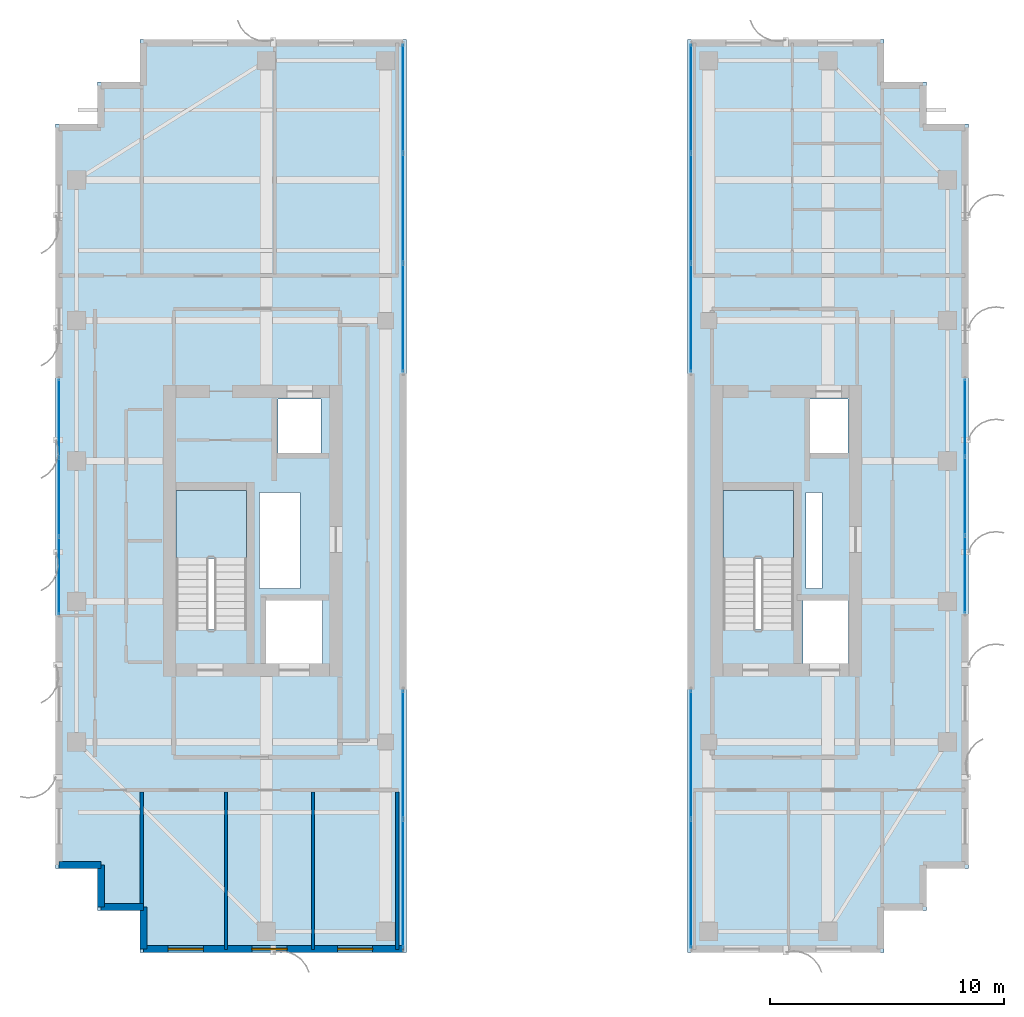
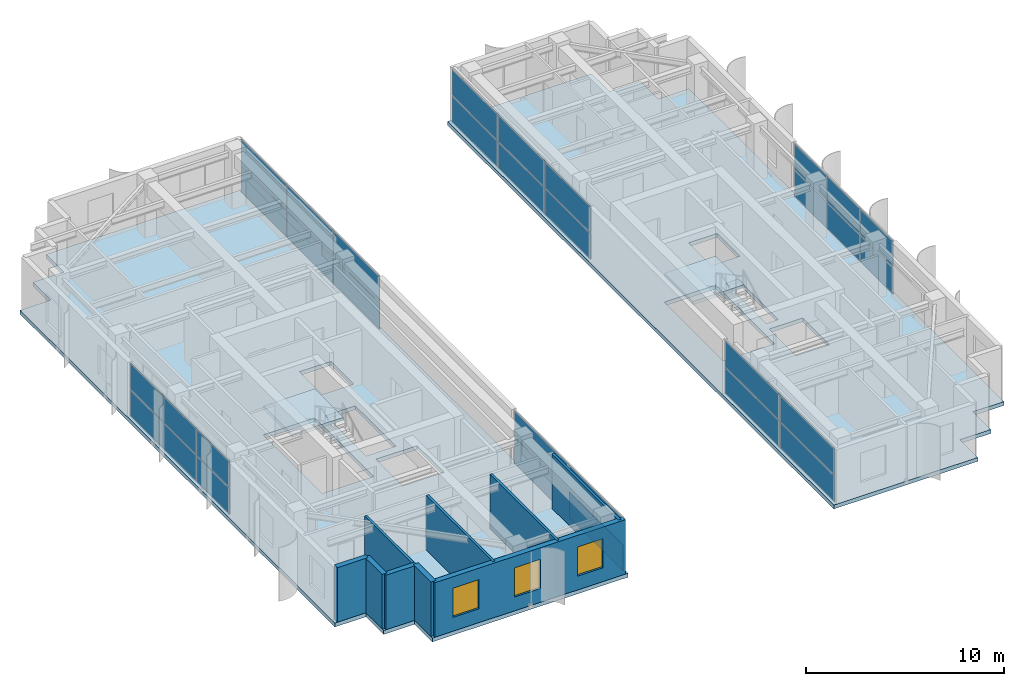
# One storey, part 17 of 24: 32 plates, 9 walls, 4 slabs, 3 windows, 3 openings, 8 elements without a shape of their own.
"""IFC4 building model written with IfcOpenShell, lengths in metres."""

from ifc_helpers import new_model, si_unit, direction, frame, frame_2d, origin, origin_2d, place, context, subcontext, project, spatial, polyline, rectangle, outline, extrude, source, transform, mapped, material, layer, layer_set, type_object, element, fill, aggregate, save


model = new_model("IFC4")

# Units and contexts
model_context = context("Model", 3, precision=1e-05, world=origin(), true_north=direction((0.0, 1.0)))
body_context = subcontext(model_context, "Body", "Model", "MODEL_VIEW")
ifc_project = project(units=[si_unit("LENGTHUNIT", "METRE"), si_unit("AREAUNIT", "SQUARE_METRE"), si_unit("VOLUMEUNIT", "CUBIC_METRE"), si_unit("PLANEANGLEUNIT", "RADIAN"), si_unit("MASSUNIT", "GRAM", prefix="KILO")], contexts=[model_context])

# Site, building, storey
site_placement = place(None, origin())
site = spatial("IfcSite", under=ifc_project, at=site_placement, CompositionType="ELEMENT")
building_placement = place(site_placement, origin())
building = spatial("IfcBuilding", under=site, at=building_placement, Name="Khoralis Quay Care Tower", CompositionType="ELEMENT")
storey_placement = place(building_placement, frame((0.0, 0.0, 249.300048828125)))
storey = spatial("IfcBuildingStorey", under=building, at=storey_placement, Name="L65", CompositionType="ELEMENT", Elevation=249.300048828125)

# Stair, slab
ifc_material_1 = material(Name="Precast concrete C45/55", Category="concrete")
stair_type = type_object("IfcStairType", Name="ST-TWR-DOGLEG-1400", PredefinedType="HALF_TURN_STAIR", material=ifc_material_1)
stair_1_placement = place(storey_placement, origin())
stair_1 = element("IfcStair", 1, at=stair_1_placement, inside=storey, type_object=stair_type, Name="L65 West Core Exit Stair ST-T1", PredefinedType="HALF_TURN_STAIR")
ifc_layer_1 = layer(ifc_material_1, 0.199951171875)
ifc_layer_set_1 = layer_set([ifc_layer_1], Name="Precast concrete C45/55")
slab_type_1 = type_object("IfcSlabType", Name="SLB-LANDING-200", PredefinedType="LANDING", material=ifc_layer_set_1)
slab_1_placement = place(storey_placement, frame((0.0, 0.0, 1.599853515625)))
slab_1 = element("IfcSlab", 2, at=slab_1_placement, type_object=slab_type_1, Name="ST-T1 landing 1", PredefinedType="LANDING", context=body_context, shape_type="SweptSolid", body=[
    extrude(outline(polyline([(11.14990234375, 19.840087890625), (11.14990234375, 22.75), (8.14990234375, 22.75), (8.14990234375, 19.840087890625), (11.14990234375, 19.840087890625)])), origin(), (0.0, 0.0, 1.0), 0.2001953125),
])
aggregate(stair_1, [slab_1])

stair_2_placement = place(storey_placement, origin())
stair_2 = element("IfcStair", 3, at=stair_2_placement, inside=storey, type_object=stair_type, Name="L65 East Core Exit Stair ST-T2", PredefinedType="HALF_TURN_STAIR")
slab_2_placement = place(storey_placement, frame((0.0, 0.0, 1.599853515625)))
slab_2 = element("IfcSlab", 4, at=slab_2_placement, type_object=slab_type_1, Name="ST-T2 landing 1", PredefinedType="LANDING", context=body_context, shape_type="SweptSolid", body=[
    extrude(outline(polyline([(34.52001953125, 19.840087890625), (34.52001953125, 22.75), (31.52001953125, 22.75), (31.52001953125, 19.840087890625), (34.52001953125, 19.840087890625)])), origin(), (0.0, 0.0, 1.0), 0.2001953125),
])
aggregate(stair_2, [slab_2])

# Slabs
ifc_material_2 = material(Name="Concrete C40/50", Category="concrete")
ifc_layer_2 = layer(ifc_material_2, 0.239990234375)
ifc_layer_set_2 = layer_set([ifc_layer_2], Name="Concrete C40/50")
slab_type_2 = type_object("IfcSlabType", Name="SLB-TWR-240", PredefinedType="FLOOR", material=ifc_layer_set_2)
slab_3_placement = place(storey_placement, frame((0.0, 0.0, -0.239990234375)))
element("IfcSlab", 5, at=slab_3_placement, inside=storey, type_object=slab_type_2, Name="Tower Wing 1 Slab L65", PredefinedType="FLOOR", context=body_context, shape_type="SweptSolid", body=[
    extrude(outline(polyline([(6.60009765625, 3.0), (18.0, 3.0), (18.0, 42.0), (6.60009765625, 42.0), (6.60009765625, 40.199951171875), (4.800048828125, 40.199951171875), (4.800048828125, 38.39990234375), (3.0, 38.39990234375), (3.0, 6.60009765625), (4.800048828125, 6.60009765625), (4.800048828125, 4.800048828125), (6.60009765625, 4.800048828125), (6.60009765625, 3.0)]), holes=[polyline([(11.14990234375, 16.800048828125), (11.14990234375, 22.75), (8.14990234375, 22.75), (8.14990234375, 16.800048828125), (11.14990234375, 16.800048828125)]), polyline([(12.0, 15.35009765625), (14.39990234375, 15.35009765625), (14.39990234375, 18.050048828125), (12.0, 18.050048828125), (12.0, 15.35009765625)]), polyline([(12.5, 24.35009765625), (14.35009765625, 24.35009765625), (14.35009765625, 26.64990234375), (12.5, 26.64990234375), (12.5, 24.35009765625)]), polyline([(11.719970703125, 18.550048828125), (13.449951171875, 18.550048828125), (13.449951171875, 22.64990234375), (11.719970703125, 22.64990234375), (11.719970703125, 18.550048828125)])]), origin(), (0.0, 0.0, 1.0), 0.239990234375),
])
slab_4_placement = place(storey_placement, frame((0.0, 0.0, -0.239990234375)))
element("IfcSlab", 6, at=slab_4_placement, inside=storey, type_object=slab_type_2, Name="Tower Wing 2 Slab L65", PredefinedType="FLOOR", context=body_context, shape_type="SweptSolid", body=[
    extrude(outline(polyline([(30.0, 3.0), (38.39990234375, 3.0), (38.39990234375, 4.800048828125), (40.199951171875, 4.800048828125), (40.199951171875, 6.60009765625), (42.0, 6.60009765625), (42.0, 38.39990234375), (40.199951171875, 38.39990234375), (40.199951171875, 40.199951171875), (38.39990234375, 40.199951171875), (38.39990234375, 42.0), (30.0, 42.0), (30.0, 3.0)]), holes=[polyline([(34.52001953125, 16.800048828125), (34.52001953125, 22.75), (31.52001953125, 22.75), (31.52001953125, 16.800048828125), (34.52001953125, 16.800048828125)]), polyline([(34.919921875, 15.35009765625), (36.8798828125, 15.35009765625), (36.8798828125, 18.050048828125), (34.919921875, 18.050048828125), (34.919921875, 15.35009765625)]), polyline([(35.199951171875, 24.35009765625), (36.85009765625, 24.35009765625), (36.85009765625, 26.64990234375), (35.199951171875, 26.64990234375), (35.199951171875, 24.35009765625)]), polyline([(35.050048828125, 18.550048828125), (35.75, 18.550048828125), (35.75, 22.64990234375), (35.050048828125, 22.64990234375), (35.050048828125, 18.550048828125)])]), origin(), (0.0, 0.0, 1.0), 0.239990234375),
])

# Curtain wall, plates
ifc_material_3 = material(Name="Pale anodised aluminium", Category="aluminium")
ifc_layer_3 = layer(ifc_material_3, 0.18994140625)
ifc_layer_set_3 = layer_set([ifc_layer_3], Name="Pale anodised aluminium")
curtain_wall_type_1 = type_object("IfcCurtainWallType", Name="CW-SYS-PORTAL", PredefinedType="NOTDEFINED", material=ifc_layer_set_3)
curtain_wall_1_placement = place(storey_placement, origin())
curtain_wall_1 = element("IfcCurtainWall", 7, at=curtain_wall_1_placement, inside=storey, type_object=curtain_wall_type_1, Name="L65 Unitised Curtain Wall CW-VP-L65-P1-S", PredefinedType="NOTDEFINED")
ifc_material_4 = material(Name="Low-E solar-control double glazing", Category="glass")
ifc_layer_4 = layer(ifc_material_4, 0.031982421875)
ifc_layer_set_4 = layer_set([ifc_layer_4], Name="Low-E solar-control double glazing")
plate_type = type_object("IfcPlateType", Name="PNL-VIS-32", PredefinedType="CURTAIN_PANEL", material=ifc_layer_set_4)
shared_shape_1 = source(origin(), body_context, "Body", "SweptSolid", [
    extrude(rectangle(XDim=5.4599609375, YDim=0.028076171875, at=origin_2d()), origin(), (0.0, 0.0, 1.0), 1.590087890625),
])
plate_1_placement = place(storey_placement, frame((17.85009765625, 5.93994140625, 0.06005859375), z_axis=(0.0, 0.0, 1.0), x_axis=(0.0, 1.0, 0.0)))
plate_1 = element("IfcPlate", 8, at=plate_1_placement, type_object=plate_type, Name="CW4 panel 1.1", PredefinedType="CURTAIN_PANEL", context=body_context, shape_type="MappedRepresentation", body=[
    mapped(shared_shape_1, transform((0.0, 0.0, 0.0), scale=1.0)),
])
plate_2_placement = place(storey_placement, frame((17.85009765625, 5.93994140625, 1.7099609375), z_axis=(0.0, 0.0, 1.0), x_axis=(0.0, 1.0, 0.0)))
plate_2 = element("IfcPlate", 9, at=plate_2_placement, type_object=plate_type, Name="CW4 panel 1.2", PredefinedType="CURTAIN_PANEL", context=body_context, shape_type="MappedRepresentation", body=[
    mapped(shared_shape_1, transform((0.0, 0.0, 0.0), scale=1.0)),
])
plate_3_placement = place(storey_placement, frame((17.85009765625, 11.4599609375, 0.06005859375), z_axis=(0.0, 0.0, 1.0), x_axis=(0.0, 1.0, 0.0)))
plate_3 = element("IfcPlate", 10, at=plate_3_placement, type_object=plate_type, Name="CW4 panel 2.1", PredefinedType="CURTAIN_PANEL", context=body_context, shape_type="MappedRepresentation", body=[
    mapped(shared_shape_1, transform((0.0, 0.0, 0.0), scale=1.0)),
])
plate_4_placement = place(storey_placement, frame((17.85009765625, 11.4599609375, 1.7099609375), z_axis=(0.0, 0.0, 1.0), x_axis=(0.0, 1.0, 0.0)))
plate_4 = element("IfcPlate", 11, at=plate_4_placement, type_object=plate_type, Name="CW4 panel 2.2", PredefinedType="CURTAIN_PANEL", context=body_context, shape_type="MappedRepresentation", body=[
    mapped(shared_shape_1, transform((0.0, 0.0, 0.0), scale=1.0)),
])
aggregate(curtain_wall_1, [plate_1, plate_2, plate_3, plate_4])

curtain_wall_2_placement = place(storey_placement, origin())
curtain_wall_2 = element("IfcCurtainWall", 12, at=curtain_wall_2_placement, inside=storey, type_object=curtain_wall_type_1, Name="L65 Unitised Curtain Wall CW-VP-L65-P2-S", PredefinedType="NOTDEFINED")
plate_5_placement = place(storey_placement, frame((30.14990234375, 5.93994140625, 0.06005859375), z_axis=(0.0, 0.0, 1.0), x_axis=(0.0, 1.0, 0.0)))
plate_5 = element("IfcPlate", 13, at=plate_5_placement, type_object=plate_type, Name="CW4 panel 1.1", PredefinedType="CURTAIN_PANEL", context=body_context, shape_type="MappedRepresentation", body=[
    mapped(shared_shape_1, transform((0.0, 0.0, 0.0), scale=1.0)),
])
plate_6_placement = place(storey_placement, frame((30.14990234375, 5.93994140625, 1.7099609375), z_axis=(0.0, 0.0, 1.0), x_axis=(0.0, 1.0, 0.0)))
plate_6 = element("IfcPlate", 14, at=plate_6_placement, type_object=plate_type, Name="CW4 panel 1.2", PredefinedType="CURTAIN_PANEL", context=body_context, shape_type="MappedRepresentation", body=[
    mapped(shared_shape_1, transform((0.0, 0.0, 0.0), scale=1.0)),
])
plate_7_placement = place(storey_placement, frame((30.14990234375, 11.4599609375, 0.06005859375), z_axis=(0.0, 0.0, 1.0), x_axis=(0.0, 1.0, 0.0)))
plate_7 = element("IfcPlate", 15, at=plate_7_placement, type_object=plate_type, Name="CW4 panel 2.1", PredefinedType="CURTAIN_PANEL", context=body_context, shape_type="MappedRepresentation", body=[
    mapped(shared_shape_1, transform((0.0, 0.0, 0.0), scale=1.0)),
])
plate_8_placement = place(storey_placement, frame((30.14990234375, 11.4599609375, 1.7099609375), z_axis=(0.0, 0.0, 1.0), x_axis=(0.0, 1.0, 0.0)))
plate_8 = element("IfcPlate", 16, at=plate_8_placement, type_object=plate_type, Name="CW4 panel 2.2", PredefinedType="CURTAIN_PANEL", context=body_context, shape_type="MappedRepresentation", body=[
    mapped(shared_shape_1, transform((0.0, 0.0, 0.0), scale=1.0)),
])
aggregate(curtain_wall_2, [plate_5, plate_6, plate_7, plate_8])

curtain_wall_3_placement = place(storey_placement, origin())
curtain_wall_3 = element("IfcCurtainWall", 17, at=curtain_wall_3_placement, inside=storey, type_object=curtain_wall_type_1, Name="L65 Unitised Curtain Wall CW-VP-L65-P1-N", PredefinedType="NOTDEFINED")
shared_shape_2 = source(origin(), body_context, "Body", "SweptSolid", [
    extrude(rectangle(XDim=4.610107421875, YDim=0.028076171875, at=origin_2d()), origin(), (0.0, 0.0, 1.0), 1.590087890625),
])
plate_9_placement = place(storey_placement, frame((17.85009765625, 30.114990234375, 0.06005859375), z_axis=(0.0, 0.0, 1.0), x_axis=(0.0, 1.0, 0.0)))
plate_9 = element("IfcPlate", 18, at=plate_9_placement, type_object=plate_type, Name="CW4 panel 1.1", PredefinedType="CURTAIN_PANEL", context=body_context, shape_type="MappedRepresentation", body=[
    mapped(shared_shape_2, transform((0.0, 0.0, 0.0), scale=1.0)),
])
plate_10_placement = place(storey_placement, frame((17.85009765625, 30.114990234375, 1.7099609375), z_axis=(0.0, 0.0, 1.0), x_axis=(0.0, 1.0, 0.0)))
plate_10 = element("IfcPlate", 19, at=plate_10_placement, type_object=plate_type, Name="CW4 panel 1.2", PredefinedType="CURTAIN_PANEL", context=body_context, shape_type="MappedRepresentation", body=[
    mapped(shared_shape_2, transform((0.0, 0.0, 0.0), scale=1.0)),
])
plate_11_placement = place(storey_placement, frame((17.85009765625, 39.485107421875, 0.06005859375), z_axis=(0.0, 0.0, 1.0), x_axis=(0.0, 1.0, 0.0)))
plate_11 = element("IfcPlate", 20, at=plate_11_placement, type_object=plate_type, Name="CW4 panel 3.1", PredefinedType="CURTAIN_PANEL", context=body_context, shape_type="MappedRepresentation", body=[
    mapped(shared_shape_2, transform((0.0, 0.0, 0.0), scale=1.0)),
])
plate_12_placement = place(storey_placement, frame((17.85009765625, 39.485107421875, 1.7099609375), z_axis=(0.0, 0.0, 1.0), x_axis=(0.0, 1.0, 0.0)))
plate_12 = element("IfcPlate", 21, at=plate_12_placement, type_object=plate_type, Name="CW4 panel 3.2", PredefinedType="CURTAIN_PANEL", context=body_context, shape_type="MappedRepresentation", body=[
    mapped(shared_shape_2, transform((0.0, 0.0, 0.0), scale=1.0)),
])

curtain_wall_4_placement = place(storey_placement, origin())
curtain_wall_4 = element("IfcCurtainWall", 22, at=curtain_wall_4_placement, inside=storey, type_object=curtain_wall_type_1, Name="L65 Unitised Curtain Wall CW-VP-L65-P2-N", PredefinedType="NOTDEFINED")
plate_13_placement = place(storey_placement, frame((30.14990234375, 30.114990234375, 0.06005859375), z_axis=(0.0, 0.0, 1.0), x_axis=(0.0, 1.0, 0.0)))
plate_13 = element("IfcPlate", 23, at=plate_13_placement, type_object=plate_type, Name="CW4 panel 1.1", PredefinedType="CURTAIN_PANEL", context=body_context, shape_type="MappedRepresentation", body=[
    mapped(shared_shape_2, transform((0.0, 0.0, 0.0), scale=1.0)),
])
plate_14_placement = place(storey_placement, frame((30.14990234375, 30.114990234375, 1.7099609375), z_axis=(0.0, 0.0, 1.0), x_axis=(0.0, 1.0, 0.0)))
plate_14 = element("IfcPlate", 24, at=plate_14_placement, type_object=plate_type, Name="CW4 panel 1.2", PredefinedType="CURTAIN_PANEL", context=body_context, shape_type="MappedRepresentation", body=[
    mapped(shared_shape_2, transform((0.0, 0.0, 0.0), scale=1.0)),
])
plate_15_placement = place(storey_placement, frame((30.14990234375, 39.485107421875, 0.06005859375), z_axis=(0.0, 0.0, 1.0), x_axis=(0.0, 1.0, 0.0)))
plate_15 = element("IfcPlate", 25, at=plate_15_placement, type_object=plate_type, Name="CW4 panel 3.1", PredefinedType="CURTAIN_PANEL", context=body_context, shape_type="MappedRepresentation", body=[
    mapped(shared_shape_2, transform((0.0, 0.0, 0.0), scale=1.0)),
])
plate_16_placement = place(storey_placement, frame((30.14990234375, 39.485107421875, 1.7099609375), z_axis=(0.0, 0.0, 1.0), x_axis=(0.0, 1.0, 0.0)))
plate_16 = element("IfcPlate", 26, at=plate_16_placement, type_object=plate_type, Name="CW4 panel 3.2", PredefinedType="CURTAIN_PANEL", context=body_context, shape_type="MappedRepresentation", body=[
    mapped(shared_shape_2, transform((0.0, 0.0, 0.0), scale=1.0)),
])

# Plate
shared_shape_3 = source(origin(), body_context, "Body", "SweptSolid", [
    extrude(rectangle(XDim=4.639892578125, YDim=0.028076171875, at=origin_2d()), origin(), (0.0, 0.0, 1.0), 1.590087890625),
])
plate_17_placement = place(storey_placement, frame((17.85009765625, 34.800048828125, 0.06005859375), z_axis=(0.0, 0.0, 1.0), x_axis=(0.0, 1.0, 0.0)))
plate_17 = element("IfcPlate", 27, at=plate_17_placement, type_object=plate_type, Name="CW4 panel 2.1", PredefinedType="CURTAIN_PANEL", context=body_context, shape_type="MappedRepresentation", body=[
    mapped(shared_shape_3, transform((0.0, 0.0, 0.0), scale=1.0)),
])

plate_18_placement = place(storey_placement, frame((17.85009765625, 34.800048828125, 1.7099609375), z_axis=(0.0, 0.0, 1.0), x_axis=(0.0, 1.0, 0.0)))
plate_18 = element("IfcPlate", 28, at=plate_18_placement, type_object=plate_type, Name="CW4 panel 2.2", PredefinedType="CURTAIN_PANEL", context=body_context, shape_type="MappedRepresentation", body=[
    mapped(shared_shape_3, transform((0.0, 0.0, 0.0), scale=1.0)),
])

aggregate(curtain_wall_3, [plate_9, plate_10, plate_17, plate_18, plate_11, plate_12])

plate_19_placement = place(storey_placement, frame((30.14990234375, 34.800048828125, 0.06005859375), z_axis=(0.0, 0.0, 1.0), x_axis=(0.0, 1.0, 0.0)))
plate_19 = element("IfcPlate", 29, at=plate_19_placement, type_object=plate_type, Name="CW4 panel 2.1", PredefinedType="CURTAIN_PANEL", context=body_context, shape_type="MappedRepresentation", body=[
    mapped(shared_shape_3, transform((0.0, 0.0, 0.0), scale=1.0)),
])

plate_20_placement = place(storey_placement, frame((30.14990234375, 34.800048828125, 1.7099609375), z_axis=(0.0, 0.0, 1.0), x_axis=(0.0, 1.0, 0.0)))
plate_20 = element("IfcPlate", 30, at=plate_20_placement, type_object=plate_type, Name="CW4 panel 2.2", PredefinedType="CURTAIN_PANEL", context=body_context, shape_type="MappedRepresentation", body=[
    mapped(shared_shape_3, transform((0.0, 0.0, 0.0), scale=1.0)),
])

aggregate(curtain_wall_4, [plate_13, plate_14, plate_19, plate_20, plate_15, plate_16])

# Curtain wall, plates
ifc_layer_5 = layer(ifc_material_3, 0.159912109375)
ifc_layer_set_5 = layer_set([ifc_layer_5], Name="Pale anodised aluminium")
curtain_wall_type_2 = type_object("IfcCurtainWallType", Name="CW-SYS-Z3", PredefinedType="NOTDEFINED", material=ifc_layer_set_5)
curtain_wall_5_placement = place(storey_placement, origin())
curtain_wall_5 = element("IfcCurtainWall", 31, at=curtain_wall_5_placement, inside=storey, type_object=curtain_wall_type_2, Name="L65 Unitised Curtain Wall CW-L65-P1-E7", PredefinedType="NOTDEFINED")
shared_shape_4 = source(origin(), body_context, "Body", "SweptSolid", [
    extrude(rectangle(XDim=3.2900390625, YDim=0.028076171875, at=origin_2d()), origin(), (0.0, 0.0, 1.0), 1.590087890625),
])
plate_21_placement = place(storey_placement, frame((3.14990234375, 25.8349609375, 0.06005859375), z_axis=(0.0, 0.0, 1.0), x_axis=(0.0, -1.0, 0.0)))
plate_21 = element("IfcPlate", 32, at=plate_21_placement, type_object=plate_type, Name="CW3 panel 1.1", PredefinedType="CURTAIN_PANEL", context=body_context, shape_type="MappedRepresentation", body=[
    mapped(shared_shape_4, transform((0.0, 0.0, 0.0), scale=1.0)),
])
plate_22_placement = place(storey_placement, frame((3.14990234375, 25.8349609375, 1.7099609375), z_axis=(0.0, 0.0, 1.0), x_axis=(0.0, -1.0, 0.0)))
plate_22 = element("IfcPlate", 33, at=plate_22_placement, type_object=plate_type, Name="CW3 panel 1.2", PredefinedType="CURTAIN_PANEL", context=body_context, shape_type="MappedRepresentation", body=[
    mapped(shared_shape_4, transform((0.0, 0.0, 0.0), scale=1.0)),
])
plate_23_placement = place(storey_placement, frame((3.14990234375, 19.10498046875, 0.06005859375), z_axis=(0.0, 0.0, 1.0), x_axis=(0.0, -1.0, 0.0)))
plate_23 = element("IfcPlate", 34, at=plate_23_placement, type_object=plate_type, Name="CW3 panel 3.1", PredefinedType="CURTAIN_PANEL", context=body_context, shape_type="MappedRepresentation", body=[
    mapped(shared_shape_4, transform((0.0, 0.0, 0.0), scale=1.0)),
])
plate_24_placement = place(storey_placement, frame((3.14990234375, 19.10498046875, 1.7099609375), z_axis=(0.0, 0.0, 1.0), x_axis=(0.0, -1.0, 0.0)))
plate_24 = element("IfcPlate", 35, at=plate_24_placement, type_object=plate_type, Name="CW3 panel 3.2", PredefinedType="CURTAIN_PANEL", context=body_context, shape_type="MappedRepresentation", body=[
    mapped(shared_shape_4, transform((0.0, 0.0, 0.0), scale=1.0)),
])
shared_shape_5 = source(origin(), body_context, "Body", "SweptSolid", [
    extrude(rectangle(XDim=3.320068359375, YDim=0.028076171875, at=origin_2d()), origin(), (0.0, 0.0, 1.0), 1.590087890625),
])
plate_25_placement = place(storey_placement, frame((3.14990234375, 22.469970703125, 0.06005859375), z_axis=(0.0, 0.0, 1.0), x_axis=(0.0, -1.0, 0.0)))
plate_25 = element("IfcPlate", 36, at=plate_25_placement, type_object=plate_type, Name="CW3 panel 2.1", PredefinedType="CURTAIN_PANEL", context=body_context, shape_type="MappedRepresentation", body=[
    mapped(shared_shape_5, transform((0.0, 0.0, 0.0), scale=1.0)),
])
plate_26_placement = place(storey_placement, frame((3.14990234375, 22.469970703125, 1.7099609375), z_axis=(0.0, 0.0, 1.0), x_axis=(0.0, -1.0, 0.0)))
plate_26 = element("IfcPlate", 37, at=plate_26_placement, type_object=plate_type, Name="CW3 panel 2.2", PredefinedType="CURTAIN_PANEL", context=body_context, shape_type="MappedRepresentation", body=[
    mapped(shared_shape_5, transform((0.0, 0.0, 0.0), scale=1.0)),
])
aggregate(curtain_wall_5, [plate_21, plate_22, plate_25, plate_26, plate_23, plate_24])

curtain_wall_6_placement = place(storey_placement, origin())
curtain_wall_6 = element("IfcCurtainWall", 38, at=curtain_wall_6_placement, inside=storey, type_object=curtain_wall_type_2, Name="L65 Unitised Curtain Wall CW-L65-P2-E5", PredefinedType="NOTDEFINED")
shared_shape_6 = source(origin(), body_context, "Body", "SweptSolid", [
    extrude(rectangle(XDim=3.27001953125, YDim=0.028076171875, at=origin_2d()), origin(), (0.0, 0.0, 1.0), 1.590087890625),
])
plate_27_placement = place(storey_placement, frame((41.85009765625, 19.155029296875, 0.06005859375), z_axis=(0.0, 0.0, 1.0), x_axis=(0.0, 1.0, 0.0)))
plate_27 = element("IfcPlate", 39, at=plate_27_placement, type_object=plate_type, Name="CW3 panel 1.1", PredefinedType="CURTAIN_PANEL", context=body_context, shape_type="MappedRepresentation", body=[
    mapped(shared_shape_6, transform((0.0, 0.0, 0.0), scale=1.0)),
])
plate_28_placement = place(storey_placement, frame((41.85009765625, 19.155029296875, 1.7099609375), z_axis=(0.0, 0.0, 1.0), x_axis=(0.0, 1.0, 0.0)))
plate_28 = element("IfcPlate", 40, at=plate_28_placement, type_object=plate_type, Name="CW3 panel 1.2", PredefinedType="CURTAIN_PANEL", context=body_context, shape_type="MappedRepresentation", body=[
    mapped(shared_shape_6, transform((0.0, 0.0, 0.0), scale=1.0)),
])
plate_29_placement = place(storey_placement, frame((41.85009765625, 25.844970703125, 0.06005859375), z_axis=(0.0, 0.0, 1.0), x_axis=(0.0, 1.0, 0.0)))
plate_29 = element("IfcPlate", 41, at=plate_29_placement, type_object=plate_type, Name="CW3 panel 3.1", PredefinedType="CURTAIN_PANEL", context=body_context, shape_type="MappedRepresentation", body=[
    mapped(shared_shape_6, transform((0.0, 0.0, 0.0), scale=1.0)),
])
plate_30_placement = place(storey_placement, frame((41.85009765625, 25.844970703125, 1.7099609375), z_axis=(0.0, 0.0, 1.0), x_axis=(0.0, 1.0, 0.0)))
plate_30 = element("IfcPlate", 42, at=plate_30_placement, type_object=plate_type, Name="CW3 panel 3.2", PredefinedType="CURTAIN_PANEL", context=body_context, shape_type="MappedRepresentation", body=[
    mapped(shared_shape_6, transform((0.0, 0.0, 0.0), scale=1.0)),
])
shared_shape_7 = source(origin(), body_context, "Body", "SweptSolid", [
    extrude(rectangle(XDim=3.300048828125, YDim=0.028076171875, at=origin_2d()), origin(), (0.0, 0.0, 1.0), 1.590087890625),
])
plate_31_placement = place(storey_placement, frame((41.85009765625, 22.5, 0.06005859375), z_axis=(0.0, 0.0, 1.0), x_axis=(0.0, 1.0, 0.0)))
plate_31 = element("IfcPlate", 43, at=plate_31_placement, type_object=plate_type, Name="CW3 panel 2.1", PredefinedType="CURTAIN_PANEL", context=body_context, shape_type="MappedRepresentation", body=[
    mapped(shared_shape_7, transform((0.0, 0.0, 0.0), scale=1.0)),
])
plate_32_placement = place(storey_placement, frame((41.85009765625, 22.5, 1.7099609375), z_axis=(0.0, 0.0, 1.0), x_axis=(0.0, 1.0, 0.0)))
plate_32 = element("IfcPlate", 44, at=plate_32_placement, type_object=plate_type, Name="CW3 panel 2.2", PredefinedType="CURTAIN_PANEL", context=body_context, shape_type="MappedRepresentation", body=[
    mapped(shared_shape_7, transform((0.0, 0.0, 0.0), scale=1.0)),
])
aggregate(curtain_wall_6, [plate_27, plate_28, plate_31, plate_32, plate_29, plate_30])

# Wall, openings, windows
ifc_layer_6 = layer(ifc_material_1, 0.300048828125)
ifc_layer_set_6 = layer_set([ifc_layer_6], Name="Precast concrete C45/55")
wall_type_1 = type_object("IfcWallType", Name="WL-EXT-REF-300", PredefinedType="SOLIDWALL", material=ifc_layer_set_6)
wall_1_placement = place(storey_placement, frame((6.75, 3.14990234375, 0.0), z_axis=(0.0, 0.0, 1.0), x_axis=(1.0, 0.0, 0.0)))
wall_1 = element("IfcWall", 45, at=wall_1_placement, inside=storey, type_object=wall_type_1, Name="L65 External Facade Wall WL-EXT-L65-P1-E0", PredefinedType="SOLIDWALL", context=body_context, shape_type="SweptSolid", body=[
    extrude(rectangle(XDim=11.10009765625, YDim=0.300048828125, at=frame_2d((5.550048828125, 0.0))), origin(), (0.0, 0.0, 1.0), 3.35986328125),
])
opening_1_placement = place(wall_1_placement, frame((1.06494140625, 0.0, 0.85009765625)))
opening_1 = element("IfcOpeningElement", 46, at=opening_1_placement, cuts=wall_1, Name="Opening W3", PredefinedType="OPENING", context=body_context, shape_type="SweptSolid", body=[
    extrude(rectangle(XDim=1.5, YDim=1.800048828125, at=frame_2d((0.75, 0.89990234375))), frame((0.0, 0.16015625, 0.0), z_axis=(0.0, -1.0, 0.0), x_axis=(1.0, 0.0, 0.0)), (0.0, 0.0, 1.0), 0.320068359375),
])
opening_2_placement = place(wall_1_placement, frame((4.639892578125, 0.0, 0.85009765625)))
opening_2 = element("IfcOpeningElement", 47, at=opening_2_placement, cuts=wall_1, Name="Opening W3", PredefinedType="OPENING", context=body_context, shape_type="SweptSolid", body=[
    extrude(rectangle(XDim=1.5, YDim=1.800048828125, at=frame_2d((0.75, 0.89990234375))), frame((0.0, 0.16015625, 0.0), z_axis=(0.0, -1.0, 0.0), x_axis=(1.0, 0.0, 0.0)), (0.0, 0.0, 1.0), 0.320068359375),
])
opening_3_placement = place(wall_1_placement, frame((8.300048828125, 0.0, 0.85009765625)))
opening_3 = element("IfcOpeningElement", 48, at=opening_3_placement, cuts=wall_1, Name="Opening W3", PredefinedType="OPENING", context=body_context, shape_type="SweptSolid", body=[
    extrude(rectangle(XDim=1.5, YDim=1.800048828125, at=frame_2d((0.75, 0.89990234375))), frame((0.0, 0.16015625, 0.0), z_axis=(0.0, -1.0, 0.0), x_axis=(1.0, 0.0, 0.0)), (0.0, 0.0, 1.0), 0.320068359375),
])
window_type = type_object("IfcWindowType", Name="WN-CLIN-1500X1800", PartitioningType="SINGLE_PANEL", PredefinedType="WINDOW", material=ifc_material_4)
shared_shape_8 = source(origin(), body_context, "Body", "SweptSolid", [
    extrude(rectangle(XDim=1.5, YDim=1.800048828125, at=frame_2d((0.75, 0.89990234375))), frame((0.0, 0.030029296875, 0.0), z_axis=(0.0, -1.0, 0.0), x_axis=(1.0, 0.0, 0.0)), (0.0, 0.0, 1.0), 0.06005859375),
])
window_1_placement = place(opening_1_placement, origin())
window_1 = element("IfcWindow", 49, at=window_1_placement, inside=storey, type_object=window_type, Name="WN-L65-P1-E0 Facade Window 01", OverallHeight=1.800048828125, OverallWidth=1.5, PartitioningType="SINGLE_PANEL", PredefinedType="WINDOW", context=body_context, shape_type="MappedRepresentation", body=[
    mapped(shared_shape_8, transform((0.0, 0.0, 0.0), scale=1.0)),
])
fill(opening_1, window_1)
window_2_placement = place(opening_2_placement, origin())
window_2 = element("IfcWindow", 50, at=window_2_placement, inside=storey, type_object=window_type, Name="WN-L65-P1-E0 Facade Window 02", OverallHeight=1.800048828125, OverallWidth=1.5, PartitioningType="SINGLE_PANEL", PredefinedType="WINDOW", context=body_context, shape_type="MappedRepresentation", body=[
    mapped(shared_shape_8, transform((0.0, 0.0, 0.0), scale=1.0)),
])
fill(opening_2, window_2)
window_3_placement = place(opening_3_placement, origin())
window_3 = element("IfcWindow", 51, at=window_3_placement, inside=storey, type_object=window_type, Name="WN-L65-P1-E0 Facade Window 03", OverallHeight=1.800048828125, OverallWidth=1.5, PartitioningType="SINGLE_PANEL", PredefinedType="WINDOW", context=body_context, shape_type="MappedRepresentation", body=[
    mapped(shared_shape_8, transform((0.0, 0.0, 0.0), scale=1.0)),
])
fill(opening_3, window_3)

# Walls
for number, where, z_axis, x_axis, name in (
    (52, (3.14990234375, 6.75, 0.0), (0.0, 0.0, 1.0), (1.0, 0.0, 0.0), "L65 External Facade Wall WL-EXT-L65-P1-C8"),
    (53, (4.949951171875, 6.75, 0.0), (0.0, 0.0, 1.0), (0.0, -1.0, 0.0), "L65 External Facade Wall WL-EXT-L65-P1-C9"),
    (54, (4.949951171875, 4.949951171875, 0.0), (0.0, 0.0, 1.0), (1.0, 0.0, 0.0), "L65 External Facade Wall WL-EXT-L65-P1-C10"),
    (55, (6.75, 4.949951171875, 0.0), (0.0, 0.0, 1.0), (0.0, -1.0, 0.0), "L65 External Facade Wall WL-EXT-L65-P1-C11"),
):
    element("IfcWall", number, at=place(storey_placement, frame(where, z_axis=z_axis, x_axis=x_axis)), inside=storey, type_object=wall_type_1, Name=name, PredefinedType="SOLIDWALL", context=body_context, shape_type="SweptSolid", body=[
        extrude(rectangle(XDim=1.800048828125, YDim=0.300048828125, at=frame_2d((0.89990234375, 0.0))), origin(), (0.0, 0.0, 1.0), 3.35986328125),
    ])
ifc_material_5 = material(Name="Gypsum plasterboard on acoustic metal stud")
ifc_layer_7 = layer(ifc_material_5, 0.139892578125)
ifc_layer_set_7 = layer_set([ifc_layer_7], Name="Gypsum plasterboard on acoustic metal stud")
wall_type_2 = type_object("IfcWallType", Name="WL-UNIT-140", PredefinedType="PARTITIONING", material=ifc_layer_set_7)
wall_2_placement = place(storey_placement, frame((6.679931640625, 4.945068359375, 0.0), z_axis=(0.0, 0.0, 1.0), x_axis=(0.0, 1.0, 0.0)))
element("IfcWall", 56, at=wall_2_placement, inside=storey, type_object=wall_type_2, Name="L65 WS Demising Wall 0", PredefinedType="PARTITIONING", context=body_context, shape_type="SweptSolid", body=[
    extrude(rectangle(XDim=4.927490234375, YDim=0.139892578125, at=frame_2d((2.4638671875, 0.0))), origin(), (0.0, 0.0, 1.0), 3.35986328125),
])
for number, where, z_axis, x_axis, name in (
    (57, (10.280029296875, 3.14501953125, 0.0), (0.0, 0.0, 1.0), (0.0, 1.0, 0.0), "L65 WS Demising Wall 1"),
    (58, (14.0, 3.14501953125, 0.0), (0.0, 0.0, 1.0), (0.0, 1.0, 0.0), "L65 WS Demising Wall 2"),
    (59, (17.60009765625, 3.14501953125, 0.0), (0.0, 0.0, 1.0), (0.0, 1.0, 0.0), "L65 WS Demising Wall 3"),
):
    element("IfcWall", number, at=place(storey_placement, frame(where, z_axis=z_axis, x_axis=x_axis)), inside=storey, type_object=wall_type_2, Name=name, PredefinedType="PARTITIONING", context=body_context, shape_type="SweptSolid", body=[
        extrude(rectangle(XDim=6.7275390625, YDim=0.139892578125, at=frame_2d((3.36376953125, 0.0))), origin(), (0.0, 0.0, 1.0), 3.35986328125),
    ])

save(model, "model.ifc")
